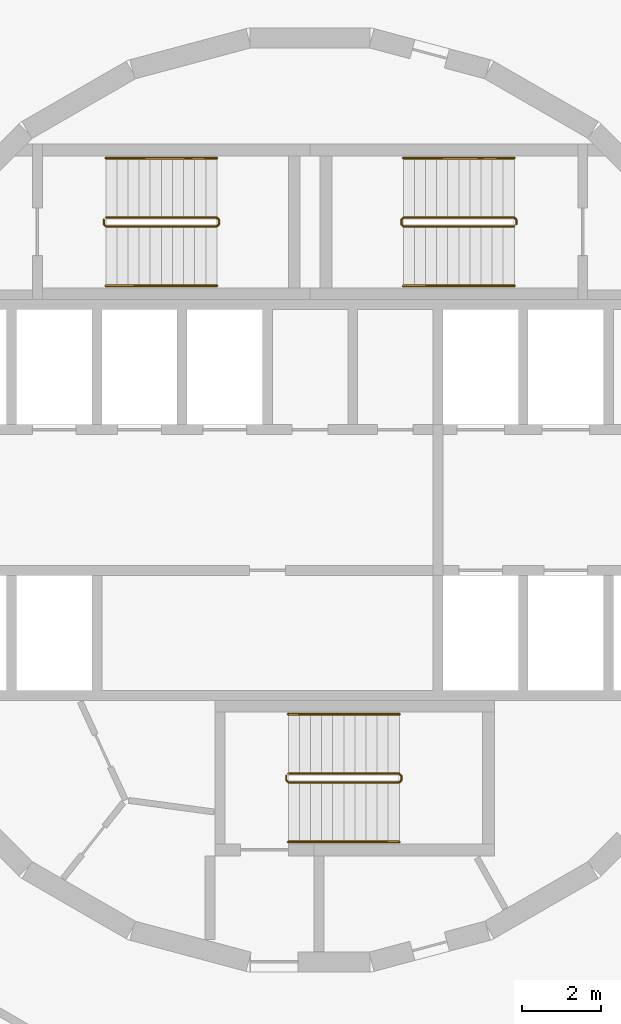
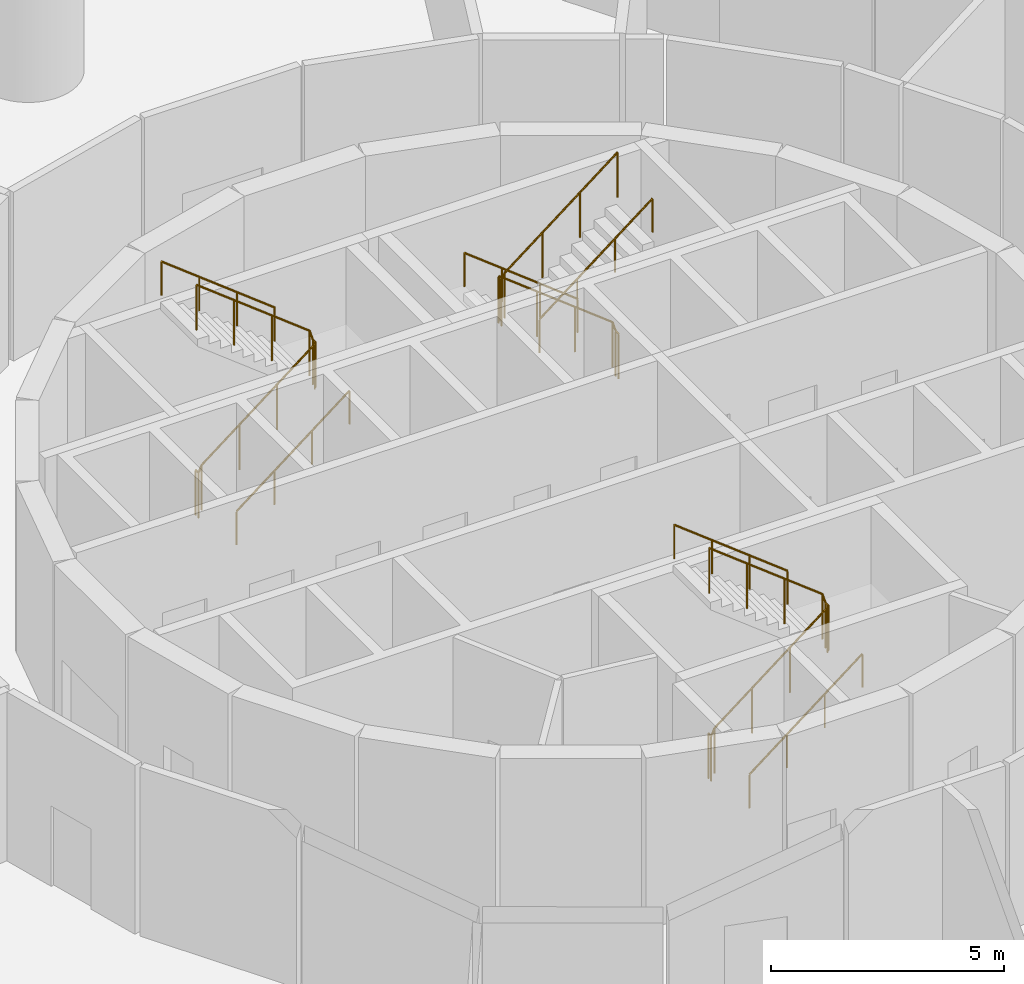
# One storey, part 17 of 17: 9 railings.
"""IFC4 building model written with IfcOpenShell, lengths in metres."""

from ifc_helpers import new_model, si_unit, direction, frame, origin, origin_2d, place, context, subcontext, project, spatial, circle, extrude, material, type_object, element, save


model = new_model("IFC4")

# Units and contexts
model_context = context("Model", 3, precision=1e-05, world=origin(), true_north=direction((0.0, 1.0)))
body_context = subcontext(model_context, "Body", "Model", "MODEL_VIEW")
ifc_project = project(units=[si_unit("LENGTHUNIT", "METRE"), si_unit("AREAUNIT", "SQUARE_METRE"), si_unit("VOLUMEUNIT", "CUBIC_METRE"), si_unit("PLANEANGLEUNIT", "RADIAN"), si_unit("MASSUNIT", "GRAM", prefix="KILO")], contexts=[model_context])

# Site, building, storey
site_placement = place(None, origin())
site = spatial("IfcSite", under=ifc_project, at=site_placement, CompositionType="ELEMENT")
building_placement = place(site_placement, origin())
building = spatial("IfcBuilding", under=site, at=building_placement, Name="Spindle Arch Residences", CompositionType="ELEMENT")
storey_placement = place(building_placement, frame((0.0, 0.0, 13.800048828125)))
storey = spatial("IfcBuildingStorey", under=building, at=storey_placement, Name="L02", CompositionType="ELEMENT", Elevation=13.800048828125)

# Railings
ifc_material_1 = material(Name="Steel, painted", Category="steel")
railing_type_1 = type_object("IfcRailingType", Name="Stair guard 1100", PredefinedType="GUARDRAIL", material=ifc_material_1)
railing_1_placement = place(storey_placement, frame((5.14990234375, 6.89990234375, 4.800048828125)))
element("IfcRailing", 1, at=railing_1_placement, inside=storey, type_object=railing_type_1, Name="L02 ST1 stair guard 1", PredefinedType="GUARDRAIL", context=body_context, shape_type="SweptSolid", body=[
    extrude(circle(Radius=0.02392578125, at=origin_2d()), frame((0.0, 0.0, 1.17578125), z_axis=(-0.788770406814, 0.0, -0.614687925157), x_axis=(0.0, -1.0, 0.0)), (0.0, 0.0, 1.0), 3.549560546875),
    extrude(circle(Radius=0.02392578125, at=origin_2d()), frame((-2.7998046875, 0.0, -1.005859375), z_axis=(-0.218123866557, 0.218123866557, -0.951232861962), x_axis=(-0.707106781187, -0.707106781187, 0.0)), (0.0, 0.0, 1.0), 0.2294921875),
    extrude(circle(Radius=0.02392578125, at=origin_2d()), frame((-2.849853515625, 0.050048828125, -1.22412109375), z_axis=(0.0, 1.0, 0.0), x_axis=(-1.0, 0.0, 0.0)), (0.0, 0.0, 1.0), 0.1201171875),
    extrude(circle(Radius=0.02392578125, at=origin_2d()), frame((-2.849853515625, 0.170166015625, -1.22412109375), z_axis=(0.707106781187, 0.707106781187, 0.0), x_axis=(-0.707106781187, 0.707106781187, 0.0)), (0.0, 0.0, 1.0), 0.07080078125),
    extrude(circle(Radius=0.02392578125, at=origin_2d()), frame((-2.7998046875, 0.22021484375, -1.22412109375), z_axis=(0.788770406814, 0.0, -0.614687925157), x_axis=(0.0, 1.0, 0.0)), (0.0, 0.0, 1.0), 3.549560546875),
    extrude(circle(Radius=0.02392578125, at=origin_2d()), frame((0.0, 0.22021484375, -3.40625), z_axis=(0.218344848091, -0.218344848091, -0.951131460222), x_axis=(0.707106781187, 0.707106781187, 0.0)), (0.0, 0.0, 1.0), 0.229248046875),
    extrude(circle(Radius=0.02392578125, at=origin_2d()), frame((0.050048828125, 0.170166015625, -3.6240234375), z_axis=(0.0, -1.0, 0.0), x_axis=(1.0, 0.0, 0.0)), (0.0, 0.0, 1.0), 0.1201171875),
    extrude(circle(Radius=0.02099609375, at=origin_2d()), origin(), (0.0, 0.0, 1.0), 1.15185546875),
    extrude(circle(Radius=0.02099609375, at=origin_2d()), frame((-0.933349609375, 0.0, -0.727294921875)), (0.0, 0.0, 1.0), 1.15185546875),
    extrude(circle(Radius=0.02099609375, at=origin_2d()), frame((-1.866455078125, 0.0, -1.45458984375)), (0.0, 0.0, 1.0), 1.15185546875),
    extrude(circle(Radius=0.02099609375, at=origin_2d()), frame((-2.7998046875, 0.0, -2.181884765625)), (0.0, 0.0, 1.0), 1.15185546875),
    extrude(circle(Radius=0.02099609375, at=origin_2d()), frame((-2.849853515625, 0.050048828125, -2.400146484375)), (0.0, 0.0, 1.0), 1.15185546875),
    extrude(circle(Radius=0.02099609375, at=origin_2d()), frame((-2.849853515625, 0.170166015625, -2.400146484375)), (0.0, 0.0, 1.0), 1.15185546875),
    extrude(circle(Radius=0.02099609375, at=origin_2d()), frame((-2.7998046875, 0.22021484375, -2.400146484375)), (0.0, 0.0, 1.0), 1.15185546875),
    extrude(circle(Radius=0.02099609375, at=origin_2d()), frame((-1.866455078125, 0.22021484375, -3.12744140625)), (0.0, 0.0, 1.0), 1.15185546875),
    extrude(circle(Radius=0.02099609375, at=origin_2d()), frame((-0.933349609375, 0.22021484375, -3.854736328125)), (0.0, 0.0, 1.0), 1.15185546875),
    extrude(circle(Radius=0.02099609375, at=origin_2d()), frame((0.0, 0.22021484375, -4.58203125)), (0.0, 0.0, 1.0), 1.15185546875),
    extrude(circle(Radius=0.02099609375, at=origin_2d()), frame((0.050048828125, 0.170166015625, -4.800048828125)), (0.0, 0.0, 1.0), 1.15185546875),
    extrude(circle(Radius=0.02099609375, at=origin_2d()), frame((0.050048828125, 0.050048828125, -4.800048828125)), (0.0, 0.0, 1.0), 1.15185546875),
])
railing_2_placement = place(storey_placement, frame((-5.14990234375, 7.1201171875, 4.800048828125)))
element("IfcRailing", 2, at=railing_2_placement, inside=storey, type_object=railing_type_1, Name="L02 ST2 stair guard 1", PredefinedType="GUARDRAIL", context=body_context, shape_type="SweptSolid", body=[
    extrude(circle(Radius=0.02392578125, at=origin_2d()), frame((0.0, 0.0, 1.17578125), z_axis=(0.788770406814, 0.0, -0.614687925157), x_axis=(0.0, 1.0, 0.0)), (0.0, 0.0, 1.0), 3.549560546875),
    extrude(circle(Radius=0.02392578125, at=origin_2d()), frame((2.7998046875, 0.0, -1.005859375), z_axis=(0.218123866557, -0.218123866557, -0.951232861962), x_axis=(0.707106781187, 0.707106781187, 0.0)), (0.0, 0.0, 1.0), 0.2294921875),
    extrude(circle(Radius=0.02392578125, at=origin_2d()), frame((2.849853515625, -0.050048828125, -1.22412109375), z_axis=(0.0, -1.0, 0.0), x_axis=(1.0, 0.0, 0.0)), (0.0, 0.0, 1.0), 0.1201171875),
    extrude(circle(Radius=0.02392578125, at=origin_2d()), frame((2.849853515625, -0.170166015625, -1.22412109375), z_axis=(-0.707106781187, -0.707106781187, 0.0), x_axis=(0.707106781187, -0.707106781187, 0.0)), (0.0, 0.0, 1.0), 0.07080078125),
    extrude(circle(Radius=0.02392578125, at=origin_2d()), frame((2.7998046875, -0.22021484375, -1.22412109375), z_axis=(-0.788770406814, 0.0, -0.614687925157), x_axis=(0.0, -1.0, 0.0)), (0.0, 0.0, 1.0), 3.549560546875),
    extrude(circle(Radius=0.02392578125, at=origin_2d()), frame((0.0, -0.22021484375, -3.40625), z_axis=(-0.218344848091, 0.218344848091, -0.951131460222), x_axis=(-0.707106781187, -0.707106781187, 0.0)), (0.0, 0.0, 1.0), 0.229248046875),
    extrude(circle(Radius=0.02392578125, at=origin_2d()), frame((-0.050048828125, -0.170166015625, -3.6240234375), z_axis=(0.0, 1.0, 0.0), x_axis=(-1.0, 0.0, 0.0)), (0.0, 0.0, 1.0), 0.1201171875),
    extrude(circle(Radius=0.02099609375, at=origin_2d()), origin(), (0.0, 0.0, 1.0), 1.15185546875),
    extrude(circle(Radius=0.02099609375, at=origin_2d()), frame((0.933349609375, 0.0, -0.727294921875)), (0.0, 0.0, 1.0), 1.15185546875),
    extrude(circle(Radius=0.02099609375, at=origin_2d()), frame((1.866455078125, 0.0, -1.45458984375)), (0.0, 0.0, 1.0), 1.15185546875),
    extrude(circle(Radius=0.02099609375, at=origin_2d()), frame((2.7998046875, 0.0, -2.181884765625)), (0.0, 0.0, 1.0), 1.15185546875),
    extrude(circle(Radius=0.02099609375, at=origin_2d()), frame((2.849853515625, -0.050048828125, -2.400146484375)), (0.0, 0.0, 1.0), 1.15185546875),
    extrude(circle(Radius=0.02099609375, at=origin_2d()), frame((2.849853515625, -0.170166015625, -2.400146484375)), (0.0, 0.0, 1.0), 1.15185546875),
    extrude(circle(Radius=0.02099609375, at=origin_2d()), frame((2.7998046875, -0.22021484375, -2.400146484375)), (0.0, 0.0, 1.0), 1.15185546875),
    extrude(circle(Radius=0.02099609375, at=origin_2d()), frame((1.866455078125, -0.22021484375, -3.12744140625)), (0.0, 0.0, 1.0), 1.15185546875),
    extrude(circle(Radius=0.02099609375, at=origin_2d()), frame((0.933349609375, -0.22021484375, -3.854736328125)), (0.0, 0.0, 1.0), 1.15185546875),
    extrude(circle(Radius=0.02099609375, at=origin_2d()), frame((0.0, -0.22021484375, -4.58203125)), (0.0, 0.0, 1.0), 1.15185546875),
    extrude(circle(Radius=0.02099609375, at=origin_2d()), frame((-0.050048828125, -0.170166015625, -4.800048828125)), (0.0, 0.0, 1.0), 1.15185546875),
    extrude(circle(Radius=0.02099609375, at=origin_2d()), frame((-0.050048828125, -0.050048828125, -4.800048828125)), (0.0, 0.0, 1.0), 1.15185546875),
])
railing_3_placement = place(storey_placement, frame((-0.550048828125, -6.89990234375, 4.800048828125)))
element("IfcRailing", 3, at=railing_3_placement, inside=storey, type_object=railing_type_1, Name="L02 ST3 stair guard 1", PredefinedType="GUARDRAIL", context=body_context, shape_type="SweptSolid", body=[
    extrude(circle(Radius=0.02392578125, at=origin_2d()), frame((0.0, 0.0, 1.17578125), z_axis=(0.788796392666, 0.0, -0.614654578538), x_axis=(0.0, 1.0, 0.0)), (0.0, 0.0, 1.0), 3.5498046875),
    extrude(circle(Radius=0.02392578125, at=origin_2d()), frame((2.800048828125, 0.0, -1.005859375), z_axis=(0.218123866557, -0.218123866557, -0.951232861962), x_axis=(0.707106781187, 0.707106781187, 0.0)), (0.0, 0.0, 1.0), 0.2294921875),
    extrude(circle(Radius=0.02392578125, at=origin_2d()), frame((2.85009765625, -0.050048828125, -1.22412109375), z_axis=(0.0, -1.0, 0.0), x_axis=(1.0, 0.0, 0.0)), (0.0, 0.0, 1.0), 0.1201171875),
    extrude(circle(Radius=0.02392578125, at=origin_2d()), frame((2.85009765625, -0.170166015625, -1.22412109375), z_axis=(-0.707106781187, -0.707106781187, 0.0), x_axis=(0.707106781187, -0.707106781187, 0.0)), (0.0, 0.0, 1.0), 0.07080078125),
    extrude(circle(Radius=0.02392578125, at=origin_2d()), frame((2.800048828125, -0.22021484375, -1.22412109375), z_axis=(-0.788796392666, 0.0, -0.614654578538), x_axis=(0.0, -1.0, 0.0)), (0.0, 0.0, 1.0), 3.5498046875),
    extrude(circle(Radius=0.02392578125, at=origin_2d()), frame((0.0, -0.22021484375, -3.40625), z_axis=(-0.218344848091, 0.218344848091, -0.951131460222), x_axis=(-0.707106781187, -0.707106781187, 0.0)), (0.0, 0.0, 1.0), 0.229248046875),
    extrude(circle(Radius=0.02392578125, at=origin_2d()), frame((-0.050048828125, -0.170166015625, -3.6240234375), z_axis=(0.0, 1.0, 0.0), x_axis=(-1.0, 0.0, 0.0)), (0.0, 0.0, 1.0), 0.1201171875),
    extrude(circle(Radius=0.02099609375, at=origin_2d()), origin(), (0.0, 0.0, 1.0), 1.15185546875),
    extrude(circle(Radius=0.02099609375, at=origin_2d()), frame((0.933349609375, 0.0, -0.727294921875)), (0.0, 0.0, 1.0), 1.15185546875),
    extrude(circle(Radius=0.02099609375, at=origin_2d()), frame((1.86669921875, 0.0, -1.45458984375)), (0.0, 0.0, 1.0), 1.15185546875),
    extrude(circle(Radius=0.02099609375, at=origin_2d()), frame((2.800048828125, 0.0, -2.181884765625)), (0.0, 0.0, 1.0), 1.15185546875),
    extrude(circle(Radius=0.02099609375, at=origin_2d()), frame((2.85009765625, -0.050048828125, -2.400146484375)), (0.0, 0.0, 1.0), 1.15185546875),
    extrude(circle(Radius=0.02099609375, at=origin_2d()), frame((2.85009765625, -0.170166015625, -2.400146484375)), (0.0, 0.0, 1.0), 1.15185546875),
    extrude(circle(Radius=0.02099609375, at=origin_2d()), frame((2.800048828125, -0.22021484375, -2.400146484375)), (0.0, 0.0, 1.0), 1.15185546875),
    extrude(circle(Radius=0.02099609375, at=origin_2d()), frame((1.86669921875, -0.22021484375, -3.12744140625)), (0.0, 0.0, 1.0), 1.15185546875),
    extrude(circle(Radius=0.02099609375, at=origin_2d()), frame((0.933349609375, -0.22021484375, -3.854736328125)), (0.0, 0.0, 1.0), 1.15185546875),
    extrude(circle(Radius=0.02099609375, at=origin_2d()), frame((0.0, -0.22021484375, -4.58203125)), (0.0, 0.0, 1.0), 1.15185546875),
    extrude(circle(Radius=0.02099609375, at=origin_2d()), frame((-0.050048828125, -0.170166015625, -4.800048828125)), (0.0, 0.0, 1.0), 1.15185546875),
    extrude(circle(Radius=0.02099609375, at=origin_2d()), frame((-0.050048828125, -0.050048828125, -4.800048828125)), (0.0, 0.0, 1.0), 1.15185546875),
])
ifc_material_2 = material(Name="Steel, painted", Category="steel")
railing_type_2 = type_object("IfcRailingType", Name="Stair handrail 900", PredefinedType="HANDRAIL", material=ifc_material_2)
railing_4_placement = place(storey_placement, frame((5.14990234375, 8.6201171875, 0.218017578125)))
element("IfcRailing", 4, at=railing_4_placement, inside=storey, type_object=railing_type_2, Name="L02 ST1 stair handrail 1", PredefinedType="HANDRAIL", context=body_context, shape_type="SweptSolid", body=[
    extrude(circle(Radius=0.02392578125, at=origin_2d()), frame((0.0, 0.0, 0.8759765625), z_axis=(-0.788770406814, 0.0, 0.614687925157), x_axis=(0.0, -1.0, 0.0)), (0.0, 0.0, 1.0), 3.549560546875),
    extrude(circle(Radius=0.02099609375, at=origin_2d()), origin(), (0.0, 0.0, 1.0), 0.851806640625),
    extrude(circle(Radius=0.02099609375, at=origin_2d()), frame((-0.933349609375, 0.0, 0.727294921875)), (0.0, 0.0, 1.0), 0.851806640625),
    extrude(circle(Radius=0.02099609375, at=origin_2d()), frame((-1.866455078125, 0.0, 1.45458984375)), (0.0, 0.0, 1.0), 0.851806640625),
    extrude(circle(Radius=0.02099609375, at=origin_2d()), frame((-2.7998046875, 0.0, 2.181884765625)), (0.0, 0.0, 1.0), 0.851806640625),
])
for number, where, name in (
    (5, (2.35009765625, 5.39990234375, 2.6181640625), "L02 ST1 stair handrail 2"),
    (6, (-5.14990234375, 5.39990234375, 0.218017578125), "L02 ST2 stair handrail 1"),
):
    element("IfcRailing", number, at=place(storey_placement, frame(where)), inside=storey, type_object=railing_type_2, Name=name, PredefinedType="HANDRAIL", context=body_context, shape_type="SweptSolid", body=[
        extrude(circle(Radius=0.02392578125, at=origin_2d()), frame((0.0, 0.0, 0.8759765625), z_axis=(0.788770406814, 0.0, 0.614687925157), x_axis=(0.0, 1.0, 0.0)), (0.0, 0.0, 1.0), 3.549560546875),
        extrude(circle(Radius=0.02099609375, at=origin_2d()), origin(), (0.0, 0.0, 1.0), 0.851806640625),
        extrude(circle(Radius=0.02099609375, at=origin_2d()), frame((0.933349609375, 0.0, 0.727294921875)), (0.0, 0.0, 1.0), 0.851806640625),
        extrude(circle(Radius=0.02099609375, at=origin_2d()), frame((1.866455078125, 0.0, 1.45458984375)), (0.0, 0.0, 1.0), 0.851806640625),
        extrude(circle(Radius=0.02099609375, at=origin_2d()), frame((2.7998046875, 0.0, 2.181884765625)), (0.0, 0.0, 1.0), 0.851806640625),
    ])
railing_5_placement = place(storey_placement, frame((-2.35009765625, 8.6201171875, 2.6181640625)))
element("IfcRailing", 7, at=railing_5_placement, inside=storey, type_object=railing_type_2, Name="L02 ST2 stair handrail 2", PredefinedType="HANDRAIL", context=body_context, shape_type="SweptSolid", body=[
    extrude(circle(Radius=0.02392578125, at=origin_2d()), frame((0.0, 0.0, 0.8759765625), z_axis=(-0.788770406814, 0.0, 0.614687925157), x_axis=(0.0, -1.0, 0.0)), (0.0, 0.0, 1.0), 3.549560546875),
    extrude(circle(Radius=0.02099609375, at=origin_2d()), origin(), (0.0, 0.0, 1.0), 0.851806640625),
    extrude(circle(Radius=0.02099609375, at=origin_2d()), frame((-0.933349609375, 0.0, 0.727294921875)), (0.0, 0.0, 1.0), 0.851806640625),
    extrude(circle(Radius=0.02099609375, at=origin_2d()), frame((-1.866455078125, 0.0, 1.45458984375)), (0.0, 0.0, 1.0), 0.851806640625),
    extrude(circle(Radius=0.02099609375, at=origin_2d()), frame((-2.7998046875, 0.0, 2.181884765625)), (0.0, 0.0, 1.0), 0.851806640625),
])
railing_6_placement = place(storey_placement, frame((-0.550048828125, -8.6201171875, 0.218017578125)))
element("IfcRailing", 8, at=railing_6_placement, inside=storey, type_object=railing_type_2, Name="L02 ST3 stair handrail 1", PredefinedType="HANDRAIL", context=body_context, shape_type="SweptSolid", body=[
    extrude(circle(Radius=0.02392578125, at=origin_2d()), frame((0.0, 0.0, 0.8759765625), z_axis=(0.788796392666, 0.0, 0.614654578538), x_axis=(0.0, 1.0, 0.0)), (0.0, 0.0, 1.0), 3.5498046875),
    extrude(circle(Radius=0.02099609375, at=origin_2d()), origin(), (0.0, 0.0, 1.0), 0.851806640625),
    extrude(circle(Radius=0.02099609375, at=origin_2d()), frame((0.933349609375, 0.0, 0.727294921875)), (0.0, 0.0, 1.0), 0.851806640625),
    extrude(circle(Radius=0.02099609375, at=origin_2d()), frame((1.86669921875, 0.0, 1.45458984375)), (0.0, 0.0, 1.0), 0.851806640625),
    extrude(circle(Radius=0.02099609375, at=origin_2d()), frame((2.800048828125, 0.0, 2.181884765625)), (0.0, 0.0, 1.0), 0.851806640625),
])
railing_7_placement = place(storey_placement, frame((2.25, -5.39990234375, 2.6181640625)))
element("IfcRailing", 9, at=railing_7_placement, inside=storey, type_object=railing_type_2, Name="L02 ST3 stair handrail 2", PredefinedType="HANDRAIL", context=body_context, shape_type="SweptSolid", body=[
    extrude(circle(Radius=0.02392578125, at=origin_2d()), frame((0.0, 0.0, 0.8759765625), z_axis=(-0.788796392666, 0.0, 0.614654578538), x_axis=(0.0, -1.0, 0.0)), (0.0, 0.0, 1.0), 3.5498046875),
    extrude(circle(Radius=0.02099609375, at=origin_2d()), origin(), (0.0, 0.0, 1.0), 0.851806640625),
    extrude(circle(Radius=0.02099609375, at=origin_2d()), frame((-0.933349609375, 0.0, 0.727294921875)), (0.0, 0.0, 1.0), 0.851806640625),
    extrude(circle(Radius=0.02099609375, at=origin_2d()), frame((-1.86669921875, 0.0, 1.45458984375)), (0.0, 0.0, 1.0), 0.851806640625),
    extrude(circle(Radius=0.02099609375, at=origin_2d()), frame((-2.800048828125, 0.0, 2.181884765625)), (0.0, 0.0, 1.0), 0.851806640625),
])

save(model, "model.ifc")
